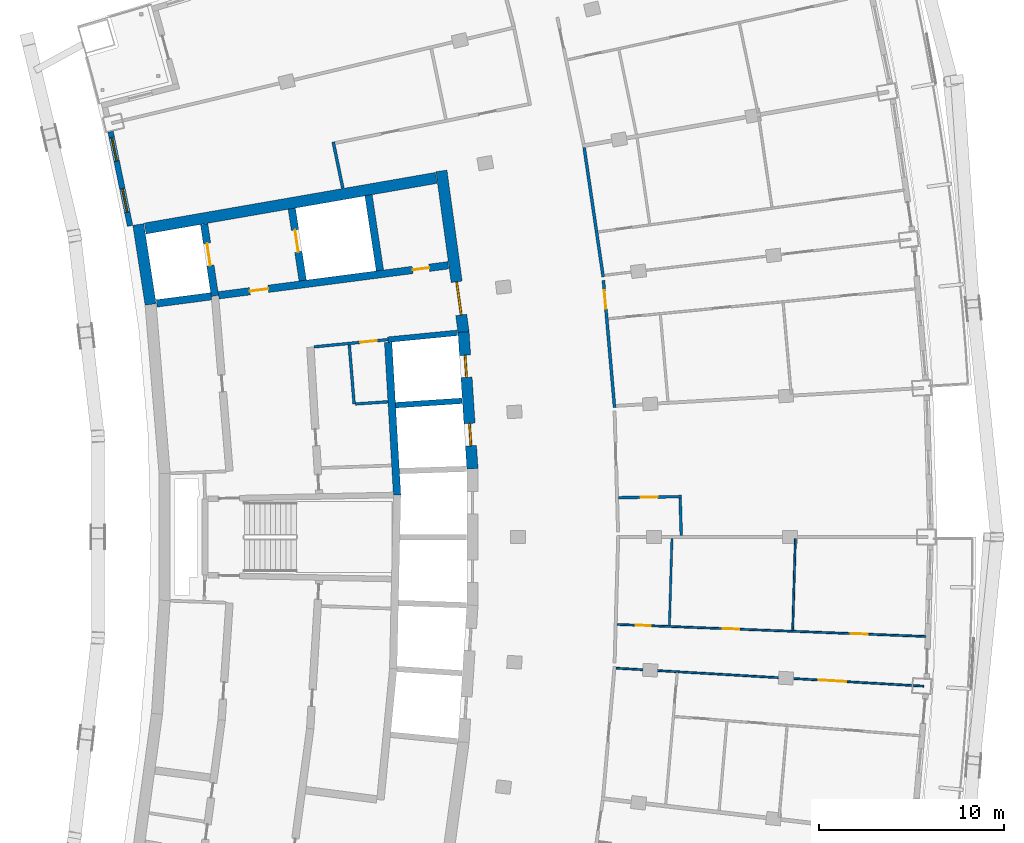
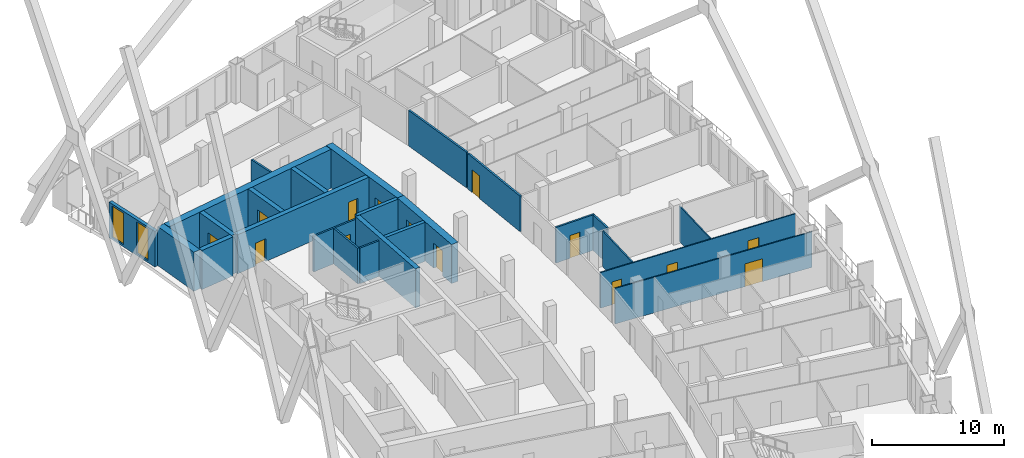
# One storey, part 13 of 20: 25 walls, 14 doors, 2 windows, 16 openings.
"""IFC4 building model written with IfcOpenShell, lengths in metres."""

from ifc_helpers import new_model, si_unit, direction, frame, frame_2d, origin, place, context, subcontext, project, spatial, rectangle, extrude, material, layer, layer_set, type_object, element, fill, save


model = new_model("IFC4")

# Units and contexts
model_context = context("Model", 3, precision=1e-05, world=origin(), true_north=direction((0.0, 1.0)))
body_context = subcontext(model_context, "Body", "Model", "MODEL_VIEW")
ifc_project = project(units=[si_unit("LENGTHUNIT", "METRE"), si_unit("AREAUNIT", "SQUARE_METRE"), si_unit("VOLUMEUNIT", "CUBIC_METRE"), si_unit("PLANEANGLEUNIT", "RADIAN"), si_unit("MASSUNIT", "GRAM", prefix="KILO")], contexts=[model_context])

# Site, building, storey
site_placement = place(None, origin())
site = spatial("IfcSite", under=ifc_project, at=site_placement, CompositionType="ELEMENT")
building_placement = place(site_placement, origin())
building = spatial("IfcBuilding", under=site, at=building_placement, Name="Alderwake Tower", CompositionType="ELEMENT")
storey_placement = place(building_placement, frame((0.0, 0.0, 210.800048828125)))
storey = spatial("IfcBuildingStorey", under=building, at=storey_placement, Name="L52", CompositionType="ELEMENT", Elevation=210.800048828125)

# Walls
ifc_material_1 = material(Name="Gypsum shaft wall system, rated")
ifc_layer_1 = layer(ifc_material_1, 0.14990234375)
ifc_layer_set_1 = layer_set([ifc_layer_1], Name="Core room partition 150")
wall_type_1 = type_object("IfcWallType", Name="Core room partition 150", PredefinedType="PARTITIONING", material=ifc_layer_set_1)
wall_1_placement = place(storey_placement, frame((26.9599609375, 68.170654296875, 0.0), z_axis=(0.0, 0.0, 1.0), x_axis=(-0.081803626558, 0.996648466954, 0.0)))
element("IfcWall", 1, at=wall_1_placement, inside=storey, type_object=wall_type_1, Name="CW/L52/PA+107_+70", PredefinedType="PARTITIONING", context=body_context, shape_type="SweptSolid", body=[
    extrude(rectangle(XDim=3.205322265625, YDim=0.14990234375, at=frame_2d((1.6025390625, 0.0))), origin(), (0.0, 0.0, 1.0), 3.280029296875),
])
wall_2_placement = place(storey_placement, frame((27.034912109375, 68.175537109375, 0.0), z_axis=(0.0, 0.0, 1.0), x_axis=(0.997757929195, 0.066926188655, 0.0)))
element("IfcWall", 2, at=wall_2_placement, inside=storey, type_object=wall_type_1, Name="CW/L52/PR+70_+107", PredefinedType="PARTITIONING", context=body_context, shape_type="SweptSolid", body=[
    extrude(rectangle(XDim=1.7509765625, YDim=0.14990234375, at=frame_2d((0.87548828125, 0.0))), origin(), (0.0, 0.0, 1.0), 3.280029296875),
])

# Wall, opening, door
wall_3_placement = place(storey_placement, frame((28.780517578125, 71.644287109375, 0.0), z_axis=(0.0, 0.0, 1.0), x_axis=(-0.995250000627, -0.097352125046, 0.0)))
wall_3 = element("IfcWall", 3, at=wall_3_placement, inside=storey, type_object=wall_type_1, Name="CW/L52/PR+102_+86", PredefinedType="PARTITIONING", context=body_context, shape_type="SweptSolid", body=[
    extrude(rectangle(XDim=4.0, YDim=0.14990234375, at=frame_2d((2.0, 0.0))), origin(), (0.0, 0.0, 1.0), 3.280029296875),
])
opening_1_placement = place(wall_3_placement, frame((0.60009765625, 0.0, 0.0)))
opening_1 = element("IfcOpeningElement", 4, at=opening_1_placement, cuts=wall_3, Name="Opening C022", PredefinedType="OPENING", context=body_context, shape_type="SweptSolid", body=[
    extrude(rectangle(XDim=0.89990234375, YDim=2.10009765625, at=frame_2d((0.449951171875, 1.050048828125))), frame((0.0, 0.0849609375, 0.0), z_axis=(0.0, -1.0, 0.0), x_axis=(1.0, 0.0, 0.0)), (0.0, 0.0, 1.0), 0.169921875),
])
ifc_material_2 = material(Name="Painted steel leaf", Category="steel")
door_type_1 = type_object("IfcDoorType", Name="Core room door 900", OperationType="SINGLE_SWING_LEFT", PredefinedType="DOOR", material=ifc_material_2)
door_1_placement = place(opening_1_placement, origin())
door_1 = element("IfcDoor", 5, at=door_1_placement, inside=storey, type_object=door_type_1, Name="Room door", OperationType="SINGLE_SWING_LEFT", OverallHeight=2.10009765625, OverallWidth=0.89990234375, PredefinedType="DOOR", context=body_context, shape_type="SweptSolid", body=[
    extrude(rectangle(XDim=0.89990234375, YDim=2.10009765625, at=frame_2d((0.449951171875, 1.050048828125))), frame((0.0, 0.02490234375, 0.0), z_axis=(0.0, -1.0, 0.0), x_axis=(1.0, 0.0, 0.0)), (0.0, 0.0, 1.0), 0.050048828125),
])
fill(opening_1, door_1)

# Wall
ifc_material_3 = material(Name="Concrete C70/85", Category="concrete")
ifc_layer_2 = layer(ifc_material_3, 0.60009765625)
ifc_layer_set_2 = layer_set([ifc_layer_2], Name="Core wall outer 600 C70-85")
wall_type_2 = type_object("IfcWallType", Name="Core wall outer 600 C70-85", PredefinedType="SHEAR", material=ifc_layer_set_2)
wall_4_placement = place(storey_placement, frame((15.984130859375, 73.54296875, 0.0), z_axis=(0.0, 0.0, 1.0), x_axis=(-0.151922578304, 0.988392396876, 0.0)))
element("IfcWall", 6, at=wall_4_placement, inside=storey, type_object=wall_type_2, Name="Core wall CW.034", PredefinedType="SHEAR", context=body_context, shape_type="SweptSolid", body=[
    extrude(rectangle(XDim=4.361328125, YDim=0.60009765625, at=frame_2d((2.1806640625, 0.0))), origin(), (0.0, 0.0, 1.0), 3.599853515625),
])

# Wall, openings, doors
wall_5_placement = place(storey_placement, frame((33.3408203125, 64.67626953125, 0.0), z_axis=(0.0, 0.0, 1.0), x_axis=(-0.065013379938, 0.997884392317, 0.0)))
wall_5 = element("IfcWall", 7, at=wall_5_placement, inside=storey, type_object=wall_type_2, Name="Core wall CW.015", PredefinedType="SHEAR", context=body_context, shape_type="SweptSolid", body=[
    extrude(rectangle(XDim=7.39404296875, YDim=0.60009765625, at=frame_2d((3.697021484375, 0.0))), origin(), (0.0, 0.0, 1.0), 3.599853515625),
])
opening_2_placement = place(wall_5_placement, frame((1.253173828125, 0.0, 0.0)))
opening_2 = element("IfcOpeningElement", 8, at=opening_2_placement, cuts=wall_5, Name="Opening LD-HP5", PredefinedType="OPENING", context=body_context, shape_type="SweptSolid", body=[
    extrude(rectangle(XDim=1.199951171875, YDim=2.300048828125, at=frame_2d((0.60009765625, 1.14990234375))), frame((0.0, 0.31005859375, 0.0), z_axis=(0.0, -1.0, 0.0), x_axis=(1.0, 0.0, 0.0)), (0.0, 0.0, 1.0), 0.6201171875),
])
opening_3_placement = place(wall_5_placement, frame((4.940185546875, 0.0, 0.0)))
opening_3 = element("IfcOpeningElement", 9, at=opening_3_placement, cuts=wall_5, Name="Opening LD-HP6", PredefinedType="OPENING", context=body_context, shape_type="SweptSolid", body=[
    extrude(rectangle(XDim=1.199951171875, YDim=2.300048828125, at=frame_2d((0.60009765625, 1.14990234375))), frame((0.0, 0.31005859375, 0.0), z_axis=(0.0, -1.0, 0.0), x_axis=(1.0, 0.0, 0.0)), (0.0, 0.0, 1.0), 0.6201171875),
])
ifc_material_4 = material(Name="Stainless steel sliding leaf", Category="steel")
door_type_2 = type_object("IfcDoorType", Name="Lift landing door 1200", OperationType="SLIDING_TO_LEFT", PredefinedType="DOOR", material=ifc_material_4)
door_2_placement = place(opening_2_placement, origin())
door_2 = element("IfcDoor", 10, at=door_2_placement, inside=storey, type_object=door_type_2, Name="Lift landing door HP5", OperationType="SLIDING_TO_LEFT", OverallHeight=2.300048828125, OverallWidth=1.199951171875, PredefinedType="DOOR", context=body_context, shape_type="SweptSolid", body=[
    extrude(rectangle(XDim=1.199951171875, YDim=2.300048828125, at=frame_2d((0.60009765625, 1.14990234375))), frame((0.0, 0.050048828125, 0.0), z_axis=(0.0, -1.0, 0.0), x_axis=(1.0, 0.0, 0.0)), (0.0, 0.0, 1.0), 0.10009765625),
])
fill(opening_2, door_2)
door_3_placement = place(opening_3_placement, origin())
door_3 = element("IfcDoor", 11, at=door_3_placement, inside=storey, type_object=door_type_2, Name="Lift landing door HP6", OperationType="SLIDING_TO_LEFT", OverallHeight=2.300048828125, OverallWidth=1.199951171875, PredefinedType="DOOR", context=body_context, shape_type="SweptSolid", body=[
    extrude(rectangle(XDim=1.199951171875, YDim=2.300048828125, at=frame_2d((0.60009765625, 1.14990234375))), frame((0.0, 0.050048828125, 0.0), z_axis=(0.0, -1.0, 0.0), x_axis=(1.0, 0.0, 0.0)), (0.0, 0.0, 1.0), 0.10009765625),
])
fill(opening_3, door_3)

# Wall, opening, door
wall_6_placement = place(storey_placement, frame((31.66796875, 80.743896484375, 0.0), z_axis=(0.0, 0.0, 1.0), x_axis=(0.135856583698, -0.990728514108, 0.0)))
wall_6 = element("IfcWall", 12, at=wall_6_placement, inside=storey, type_object=wall_type_2, Name="Core wall CW.014", PredefinedType="SHEAR", context=body_context, shape_type="SweptSolid", body=[
    extrude(rectangle(XDim=8.79296875, YDim=0.60009765625, at=frame_2d((4.396484375, 0.0))), origin(), (0.0, 0.0, 1.0), 3.599853515625),
])
opening_4_placement = place(wall_6_placement, frame((6.038818359375, 0.0, 0.0)))
opening_4 = element("IfcOpeningElement", 13, at=opening_4_placement, cuts=wall_6, Name="Opening C001", PredefinedType="OPENING", context=body_context, shape_type="SweptSolid", body=[
    extrude(rectangle(XDim=1.800048828125, YDim=2.10009765625, at=frame_2d((0.89990234375, 1.050048828125))), frame((0.0, 0.31005859375, 0.0), z_axis=(0.0, -1.0, 0.0), x_axis=(1.0, 0.0, 0.0)), (0.0, 0.0, 1.0), 0.6201171875),
])
ifc_material_5 = material(Name="Steel-framed fire door leaves", Category="steel")
door_type_3 = type_object("IfcDoorType", Name="Core double door 1800 fire-rated", OperationType="DOUBLE_DOOR_SINGLE_SWING", PredefinedType="DOOR", material=ifc_material_5)
door_4_placement = place(opening_4_placement, origin())
door_4 = element("IfcDoor", 14, at=door_4_placement, inside=storey, type_object=door_type_3, Name="Lobby double door", OperationType="DOUBLE_DOOR_SINGLE_SWING", OverallHeight=2.10009765625, OverallWidth=1.800048828125, PredefinedType="DOOR", context=body_context, shape_type="SweptSolid", body=[
    extrude(rectangle(XDim=1.800048828125, YDim=2.10009765625, at=frame_2d((0.89990234375, 1.050048828125))), frame((0.0, 0.050048828125, 0.0), z_axis=(0.0, -1.0, 0.0), x_axis=(1.0, 0.0, 0.0)), (0.0, 0.0, 1.0), 0.10009765625),
])
fill(opening_4, door_4)

# Walls
wall_7_placement = place(storey_placement, frame((15.68896484375, 77.6357421875, 0.0), z_axis=(0.0, 0.0, 1.0), x_axis=(0.985223223422, 0.17127521721, 0.0)))
element("IfcWall", 15, at=wall_7_placement, inside=storey, type_object=wall_type_2, Name="Core wall CW.055", PredefinedType="SHEAR", context=body_context, shape_type="SweptSolid", body=[
    extrude(rectangle(XDim=15.933349609375, YDim=0.60009765625, at=frame_2d((7.966796875, 0.0))), origin(), (0.0, 0.0, 1.0), 3.599853515625),
])
ifc_material_6 = material(Name="Concrete C70/85", Category="concrete")
ifc_layer_3 = layer(ifc_material_6, 0.300048828125)
ifc_layer_set_3 = layer_set([ifc_layer_3], Name="Core wall shaft 300 C70-85")
wall_type_3 = type_object("IfcWallType", Name="Core wall shaft 300 C70-85", PredefinedType="SHEAR", material=ifc_layer_set_3)
wall_8_placement = place(storey_placement, frame((29.193603515625, 68.110595703125, 0.0), z_axis=(0.0, 0.0, 1.0), x_axis=(0.997887597979, 0.064964157805, 0.0)))
element("IfcWall", 16, at=wall_8_placement, inside=storey, type_object=wall_type_3, Name="Core wall CW.061", PredefinedType="SHEAR", context=body_context, shape_type="SweptSolid", body=[
    extrude(rectangle(XDim=3.585205078125, YDim=0.300048828125, at=frame_2d((1.79248046875, 0.0))), origin(), (0.0, 0.0, 1.0), 3.599853515625),
])
wall_9_placement = place(storey_placement, frame((28.780517578125, 71.644287109375, 0.0), z_axis=(0.0, 0.0, 1.0), x_axis=(0.995245280185, 0.097400370992, 0.0)))
element("IfcWall", 17, at=wall_9_placement, inside=storey, type_object=wall_type_3, Name="Core wall CW.049", PredefinedType="SHEAR", context=body_context, shape_type="SweptSolid", body=[
    extrude(rectangle(XDim=3.769775390625, YDim=0.300048828125, at=frame_2d((1.884765625, 0.0))), origin(), (0.0, 0.0, 1.0), 3.599853515625),
])

# Wall, opening, door
ifc_material_7 = material(Name="Concrete C70/85", Category="concrete")
ifc_layer_4 = layer(ifc_material_7, 0.39990234375)
ifc_layer_set_4 = layer_set([ifc_layer_4], Name="Core wall spine 400 C70-85")
wall_type_4 = type_object("IfcWallType", Name="Core wall spine 400 C70-85", PredefinedType="SHEAR", material=ifc_layer_set_4)
wall_10_placement = place(storey_placement, frame((19.4541015625, 74.00048828125, 0.0), z_axis=(0.0, 0.0, 1.0), x_axis=(-0.148977743105, 0.98884054936, 0.0)))
wall_10 = element("IfcWall", 18, at=wall_10_placement, inside=storey, type_object=wall_type_4, Name="Core wall CW.030", PredefinedType="SHEAR", context=body_context, shape_type="SweptSolid", body=[
    extrude(rectangle(XDim=3.9150390625, YDim=0.39990234375, at=frame_2d((1.95751953125, 0.0))), origin(), (0.0, 0.0, 1.0), 3.599853515625),
])
opening_5_placement = place(wall_10_placement, frame((1.6611328125, 0.0, 0.0)))
opening_5 = element("IfcOpeningElement", 19, at=opening_5_placement, cuts=wall_10, Name="Opening LD-FF1", PredefinedType="OPENING", context=body_context, shape_type="SweptSolid", body=[
    extrude(rectangle(XDim=1.199951171875, YDim=2.300048828125, at=frame_2d((0.60009765625, 1.14990234375))), frame((0.0, 0.2099609375, 0.0), z_axis=(0.0, -1.0, 0.0), x_axis=(1.0, 0.0, 0.0)), (0.0, 0.0, 1.0), 0.419921875),
])
door_5_placement = place(opening_5_placement, origin())
door_5 = element("IfcDoor", 20, at=door_5_placement, inside=storey, type_object=door_type_2, Name="Lift landing door FF1", OperationType="SLIDING_TO_LEFT", OverallHeight=2.300048828125, OverallWidth=1.199951171875, PredefinedType="DOOR", context=body_context, shape_type="SweptSolid", body=[
    extrude(rectangle(XDim=1.199951171875, YDim=2.300048828125, at=frame_2d((0.60009765625, 1.14990234375))), frame((0.0, 0.02490234375, 0.0), z_axis=(0.0, -1.0, 0.0), x_axis=(1.0, 0.0, 0.0)), (0.0, 0.0, 1.0), 0.050048828125),
])
fill(opening_5, door_5)

wall_11_placement = place(storey_placement, frame((24.186279296875, 74.82861328125, 0.0), z_axis=(0.0, 0.0, 1.0), x_axis=(-0.150092938275, 0.988671891924, 0.0)))
wall_11 = element("IfcWall", 21, at=wall_11_placement, inside=storey, type_object=wall_type_4, Name="Core wall CW.044", PredefinedType="SHEAR", context=body_context, shape_type="SweptSolid", body=[
    extrude(rectangle(XDim=3.92333984375, YDim=0.39990234375, at=frame_2d((1.961669921875, 0.0))), origin(), (0.0, 0.0, 1.0), 3.599853515625),
])
opening_6_placement = place(wall_11_placement, frame((1.561767578125, 0.0, 0.0)))
opening_6 = element("IfcOpeningElement", 22, at=opening_6_placement, cuts=wall_11, Name="Opening LD-FF2", PredefinedType="OPENING", context=body_context, shape_type="SweptSolid", body=[
    extrude(rectangle(XDim=1.199951171875, YDim=2.300048828125, at=frame_2d((0.60009765625, 1.14990234375))), frame((0.0, 0.2099609375, 0.0), z_axis=(0.0, -1.0, 0.0), x_axis=(1.0, 0.0, 0.0)), (0.0, 0.0, 1.0), 0.419921875),
])
door_6_placement = place(opening_6_placement, origin())
door_6 = element("IfcDoor", 23, at=door_6_placement, inside=storey, type_object=door_type_2, Name="Lift landing door FF2", OperationType="SLIDING_TO_LEFT", OverallHeight=2.300048828125, OverallWidth=1.199951171875, PredefinedType="DOOR", context=body_context, shape_type="SweptSolid", body=[
    extrude(rectangle(XDim=1.199951171875, YDim=2.300048828125, at=frame_2d((0.60009765625, 1.14990234375))), frame((0.0, 0.02490234375, 0.0), z_axis=(0.0, -1.0, 0.0), x_axis=(1.0, 0.0, 0.0)), (0.0, 0.0, 1.0), 0.050048828125),
])
fill(opening_6, door_6)

# Walls
wall_12_placement = place(storey_placement, frame((29.27685546875, 63.2646484375, 0.0), z_axis=(0.0, 0.0, 1.0), x_axis=(-0.0584546922, 0.998290062537, 0.0)))
element("IfcWall", 24, at=wall_12_placement, inside=storey, type_object=wall_type_4, Name="Core wall CW.002", PredefinedType="SHEAR", context=body_context, shape_type="SweptSolid", body=[
    extrude(rectangle(XDim=8.24462890625, YDim=0.39990234375, at=frame_2d((4.122314453125, 0.0))), origin(), (0.0, 0.0, 1.0), 3.599853515625),
])
wall_13_placement = place(storey_placement, frame((28.350830078125, 75.373291015625, 0.0), z_axis=(0.0, 0.0, 1.0), x_axis=(-0.150143035921, 0.988664285167, 0.0)))
element("IfcWall", 25, at=wall_13_placement, inside=storey, type_object=wall_type_4, Name="Core wall CW.001", PredefinedType="SHEAR", context=body_context, shape_type="SweptSolid", body=[
    extrude(rectangle(XDim=4.1123046875, YDim=0.39990234375, at=frame_2d((2.05615234375, 0.0))), origin(), (0.0, 0.0, 1.0), 3.599853515625),
])
wall_14_placement = place(storey_placement, frame((16.31005859375, 73.5966796875, 0.0), z_axis=(0.0, 0.0, 1.0), x_axis=(0.99155863891, 0.12965903595, 0.0)))
element("IfcWall", 26, at=wall_14_placement, inside=storey, type_object=wall_type_4, Name="Core wall CW.051", PredefinedType="SHEAR", context=body_context, shape_type="SweptSolid", body=[
    extrude(rectangle(XDim=2.969482421875, YDim=0.39990234375, at=frame_2d((1.48486328125, 0.0))), origin(), (0.0, 0.0, 1.0), 3.599853515625),
])

# Wall, openings, doors
wall_15_placement = place(storey_placement, frame((32.032958984375, 75.653076171875, 0.0), z_axis=(0.0, 0.0, 1.0), x_axis=(-0.991554886316, -0.129687730428, 0.0)))
wall_15 = element("IfcWall", 27, at=wall_15_placement, inside=storey, type_object=wall_type_4, Name="Core wall CW.052", PredefinedType="SHEAR", context=body_context, shape_type="SweptSolid", body=[
    extrude(rectangle(XDim=12.48681640625, YDim=0.39990234375, at=frame_2d((6.243408203125, 0.0))), origin(), (0.0, 0.0, 1.0), 3.599853515625),
])
opening_7_placement = place(wall_15_placement, frame((9.787109375, 0.0, 0.0)))
opening_7 = element("IfcOpeningElement", 28, at=opening_7_placement, cuts=wall_15, Name="Opening C002", PredefinedType="OPENING", context=body_context, shape_type="SweptSolid", body=[
    extrude(rectangle(XDim=1.0, YDim=2.10009765625, at=frame_2d((0.5, 1.050048828125))), frame((0.0, 0.2099609375, 0.0), z_axis=(0.0, -1.0, 0.0), x_axis=(1.0, 0.0, 0.0)), (0.0, 0.0, 1.0), 0.419921875),
])
opening_8_placement = place(wall_15_placement, frame((1.037109375, 0.0, 0.0)))
opening_8 = element("IfcOpeningElement", 29, at=opening_8_placement, cuts=wall_15, Name="Opening C020", PredefinedType="OPENING", context=body_context, shape_type="SweptSolid", body=[
    extrude(rectangle(XDim=0.89990234375, YDim=2.10009765625, at=frame_2d((0.449951171875, 1.050048828125))), frame((0.0, 0.2099609375, 0.0), z_axis=(0.0, -1.0, 0.0), x_axis=(1.0, 0.0, 0.0)), (0.0, 0.0, 1.0), 0.419921875),
])
door_7_placement = place(opening_8_placement, origin())
door_7 = element("IfcDoor", 30, at=door_7_placement, inside=storey, type_object=door_type_1, Name="Room door", OperationType="SINGLE_SWING_RIGHT", OverallHeight=2.10009765625, OverallWidth=0.89990234375, PredefinedType="DOOR", context=body_context, shape_type="SweptSolid", body=[
    extrude(rectangle(XDim=0.89990234375, YDim=2.10009765625, at=frame_2d((0.449951171875, 1.050048828125))), frame((0.0, 0.02490234375, 0.0), z_axis=(0.0, -1.0, 0.0), x_axis=(1.0, 0.0, 0.0)), (0.0, 0.0, 1.0), 0.050048828125),
])
fill(opening_8, door_7)
ifc_material_8 = material(Name="Steel-framed fire door leaf", Category="steel")
door_type_4 = type_object("IfcDoorType", Name="Firefighting lobby door 1000 fire-rated", OperationType="SINGLE_SWING_LEFT", PredefinedType="DOOR", material=ifc_material_8)
door_8_placement = place(opening_7_placement, origin())
door_8 = element("IfcDoor", 31, at=door_8_placement, inside=storey, type_object=door_type_4, Name="Firefighting lobby door", OperationType="SINGLE_SWING_RIGHT", OverallHeight=2.10009765625, OverallWidth=1.0, PredefinedType="DOOR", context=body_context, shape_type="SweptSolid", body=[
    extrude(rectangle(XDim=1.0, YDim=2.10009765625, at=frame_2d((0.5, 1.050048828125))), frame((0.0, 0.02490234375, 0.0), z_axis=(0.0, -1.0, 0.0), x_axis=(1.0, 0.0, 0.0)), (0.0, 0.0, 1.0), 0.050048828125),
])
fill(opening_7, door_8)

# Walls
ifc_material_9 = material(Name="Gypsum board on metal studs, rated")
ifc_layer_5 = layer(ifc_material_9, 0.159912109375)
ifc_layer_set_5 = layer_set([ifc_layer_5], Name="Corridor wall 160")
wall_type_5 = type_object("IfcWallType", Name="Corridor wall 160", PredefinedType="PARTITIONING", material=ifc_layer_set_5)
wall_16_placement = place(storey_placement, frame((25.831787109375, 82.305419921875, 0.0), z_axis=(0.0, 0.0, 1.0), x_axis=(0.202450797205, -0.979292435747, 0.0)))
element("IfcWall", 32, at=wall_16_placement, inside=storey, type_object=wall_type_5, Name="WL/L52/W12", PredefinedType="PARTITIONING", context=body_context, shape_type="SweptSolid", body=[
    extrude(rectangle(XDim=2.555419921875, YDim=0.159912109375, at=frame_2d((1.27783203125, 0.0))), origin(), (0.0, 0.0, 1.0), 3.280029296875),
])
wall_17_placement = place(storey_placement, frame((40.388671875, 75.02880859375, 0.0), z_axis=(0.0, 0.0, 1.0), x_axis=(-0.145585733575, 0.98934563939, 0.0)))
element("IfcWall", 33, at=wall_17_placement, inside=storey, type_object=wall_type_5, Name="WL/L52/W22", PredefinedType="PARTITIONING", context=body_context, shape_type="SweptSolid", body=[
    extrude(rectangle(XDim=7.04833984375, YDim=0.159912109375, at=frame_2d((3.524169921875, 0.0))), origin(), (0.0, 0.0, 1.0), 3.280029296875),
])

# Wall, opening, door
wall_18_placement = place(storey_placement, frame((40.400390625, 74.84228515625, 0.0), z_axis=(0.0, 0.0, 1.0), x_axis=(0.087419573149, -0.996171580718, 0.0)))
wall_18 = element("IfcWall", 34, at=wall_18_placement, inside=storey, type_object=wall_type_5, Name="WL/L52/W24", PredefinedType="PARTITIONING", context=body_context, shape_type="SweptSolid", body=[
    extrude(rectangle(XDim=6.88134765625, YDim=0.159912109375, at=frame_2d((3.440673828125, 0.0))), origin(), (0.0, 0.0, 1.0), 3.280029296875),
])
opening_9_placement = place(wall_18_placement, frame((0.544921875, 0.0, 0.0)))
opening_9 = element("IfcOpeningElement", 35, at=opening_9_placement, cuts=wall_18, Name="Opening R15-U06.2", PredefinedType="OPENING", context=body_context, shape_type="SweptSolid", body=[
    extrude(rectangle(XDim=1.0, YDim=2.10009765625, at=frame_2d((0.5, 1.050048828125))), frame((0.0, 0.08984375, 0.0), z_axis=(0.0, -1.0, 0.0), x_axis=(1.0, 0.0, 0.0)), (0.0, 0.0, 1.0), 0.179931640625),
])
ifc_material_10 = material(Name="Solid timber leaf in steel frame", Category="steel")
door_type_5 = type_object("IfcDoorType", Name="Flat entrance door 1000 fire-rated", OperationType="SINGLE_SWING_LEFT", PredefinedType="DOOR", material=ifc_material_10)
door_9_placement = place(opening_9_placement, origin())
door_9 = element("IfcDoor", 36, at=door_9_placement, inside=storey, type_object=door_type_5, Name="DR/L52/U06.2", OperationType="SINGLE_SWING_LEFT", OverallHeight=2.10009765625, OverallWidth=1.0, PredefinedType="DOOR", context=body_context, shape_type="SweptSolid", body=[
    extrude(rectangle(XDim=1.0, YDim=2.10009765625, at=frame_2d((0.5, 1.050048828125))), frame((0.0, 0.02490234375, 0.0), z_axis=(0.0, -1.0, 0.0), x_axis=(1.0, 0.0, 0.0)), (0.0, 0.0, 1.0), 0.050048828125),
])
fill(opening_9, door_9)

# Wall, openings, windows
ifc_material_11 = material(Name="Precast concrete C50/60 spandrel panel", Category="concrete")
ifc_layer_6 = layer(ifc_material_11, 0.300048828125)
ifc_layer_set_6 = layer_set([ifc_layer_6], Name="External wall EW1 Precast concrete C50/60 spandrel")
wall_type_6 = type_object("IfcWallType", Name="External wall EW1 Precast concrete C50/60 spandrel", PredefinedType="SOLIDWALL", material=ifc_layer_set_6)
wall_19_placement = place(storey_placement, frame((13.826904296875, 82.8544921875, 0.0), z_axis=(0.0, 0.0, 1.0), x_axis=(0.202730149235, -0.979234643276, 0.0)))
wall_19 = element("IfcWall", 37, at=wall_19_placement, inside=storey, type_object=wall_type_6, Name="External wall 31", PredefinedType="SOLIDWALL", context=body_context, shape_type="SweptSolid", body=[
    extrude(rectangle(XDim=5.185546875, YDim=0.300048828125, at=frame_2d((2.5927734375, 0.0))), origin(), (0.0, 0.0, 1.0), 3.280029296875),
])
opening_10_placement = place(wall_19_placement, frame((0.316162109375, 0.0, 0.199951171875)))
opening_10 = element("IfcOpeningElement", 38, at=opening_10_placement, cuts=wall_19, Name="Opening W1", PredefinedType="OPENING", context=body_context, shape_type="SweptSolid", body=[
    extrude(rectangle(XDim=1.300048828125, YDim=2.89990234375, at=frame_2d((0.64990234375, 1.449951171875))), frame((0.0, 0.159912109375, 0.0), z_axis=(0.0, -1.0, 0.0), x_axis=(1.0, 0.0, 0.0)), (0.0, 0.0, 1.0), 0.320068359375),
])
opening_11_placement = place(wall_19_placement, frame((3.12890625, 0.0, 0.199951171875)))
opening_11 = element("IfcOpeningElement", 39, at=opening_11_placement, cuts=wall_19, Name="Opening W1", PredefinedType="OPENING", context=body_context, shape_type="SweptSolid", body=[
    extrude(rectangle(XDim=1.300048828125, YDim=2.89990234375, at=frame_2d((0.64990234375, 1.449951171875))), frame((0.0, 0.159912109375, 0.0), z_axis=(0.0, -1.0, 0.0), x_axis=(1.0, 0.0, 0.0)), (0.0, 0.0, 1.0), 0.320068359375),
])
ifc_material_12 = material(Name="Bronze tinted glass in aluminium frame", Category="aluminium")
window_type = type_object("IfcWindowType", Name="Window W1 tall fixed and vent", PartitioningType="DOUBLE_PANEL_VERTICAL", PredefinedType="WINDOW", material=ifc_material_12)
window_1_placement = place(opening_10_placement, origin())
window_1 = element("IfcWindow", 40, at=window_1_placement, inside=storey, type_object=window_type, Name="Window W1 tall fixed and vent", OverallHeight=2.89990234375, OverallWidth=1.300048828125, PartitioningType="DOUBLE_PANEL_VERTICAL", PredefinedType="WINDOW", context=body_context, shape_type="SweptSolid", body=[
    extrude(rectangle(XDim=1.300048828125, YDim=2.89990234375, at=frame_2d((0.64990234375, 1.449951171875))), frame((0.0, 0.030029296875, 0.0), z_axis=(0.0, -1.0, 0.0), x_axis=(1.0, 0.0, 0.0)), (0.0, 0.0, 1.0), 0.06005859375),
])
fill(opening_10, window_1)
window_2_placement = place(opening_11_placement, origin())
window_2 = element("IfcWindow", 41, at=window_2_placement, inside=storey, type_object=window_type, Name="Window W1 tall fixed and vent", OverallHeight=2.89990234375, OverallWidth=1.300048828125, PartitioningType="DOUBLE_PANEL_VERTICAL", PredefinedType="WINDOW", context=body_context, shape_type="SweptSolid", body=[
    extrude(rectangle(XDim=1.300048828125, YDim=2.89990234375, at=frame_2d((0.64990234375, 1.449951171875))), frame((0.0, 0.030029296875, 0.0), z_axis=(0.0, -1.0, 0.0), x_axis=(1.0, 0.0, 0.0)), (0.0, 0.0, 1.0), 0.06005859375),
])
fill(opening_11, window_2)

# Wall, opening, door
ifc_material_13 = material(Name="Gypsum shaft wall system, rated")
ifc_layer_7 = layer(ifc_material_13, 0.14990234375)
ifc_layer_set_7 = layer_set([ifc_layer_7], Name="Riser and shaft wall 150")
wall_type_7 = type_object("IfcWallType", Name="Riser and shaft wall 150", PredefinedType="PARTITIONING", material=ifc_layer_set_7)
wall_20_placement = place(storey_placement, frame((44.610107421875, 63.181396484375, 0.0), z_axis=(0.0, 0.0, 1.0), x_axis=(-0.999843204507, -0.017707806214, 0.0)))
wall_20 = element("IfcWall", 42, at=wall_20_placement, inside=storey, type_object=wall_type_7, Name="WL/L52/W06", PredefinedType="PARTITIONING", context=body_context, shape_type="SweptSolid", body=[
    extrude(rectangle(XDim=3.3916015625, YDim=0.14990234375, at=frame_2d((1.69580078125, 0.0))), origin(), (0.0, 0.0, 1.0), 3.280029296875),
])
opening_12_placement = place(wall_20_placement, frame((1.28271484375, 0.0, 0.0)))
opening_12 = element("IfcOpeningElement", 43, at=opening_12_placement, cuts=wall_20, Name="Opening R15-AM1.2", PredefinedType="OPENING", context=body_context, shape_type="SweptSolid", body=[
    extrude(rectangle(XDim=0.89990234375, YDim=2.10009765625, at=frame_2d((0.449951171875, 1.050048828125))), frame((0.0, 0.0849609375, 0.0), z_axis=(0.0, -1.0, 0.0), x_axis=(1.0, 0.0, 0.0)), (0.0, 0.0, 1.0), 0.169921875),
])
ifc_material_14 = material(Name="Painted timber leaf", Category="wood")
door_type_6 = type_object("IfcDoorType", Name="Room door 900", OperationType="SINGLE_SWING_LEFT", PredefinedType="DOOR", material=ifc_material_14)
door_10_placement = place(opening_12_placement, origin())
door_10 = element("IfcDoor", 44, at=door_10_placement, inside=storey, type_object=door_type_6, Name="DR/L52/AM1.2", OperationType="SINGLE_SWING_LEFT", OverallHeight=2.10009765625, OverallWidth=0.89990234375, PredefinedType="DOOR", context=body_context, shape_type="SweptSolid", body=[
    extrude(rectangle(XDim=0.89990234375, YDim=2.10009765625, at=frame_2d((0.449951171875, 1.050048828125))), frame((0.0, 0.02490234375, 0.0), z_axis=(0.0, -1.0, 0.0), x_axis=(1.0, 0.0, 0.0)), (0.0, 0.0, 1.0), 0.050048828125),
])
fill(opening_12, door_10)

# Wall
wall_21_placement = place(storey_placement, frame((44.5986328125, 61.0791015625, 0.0), z_axis=(0.0, 0.0, 1.0), x_axis=(-0.030234424158, 0.999542835298, 0.0)))
element("IfcWall", 45, at=wall_21_placement, inside=storey, type_object=wall_type_7, Name="WL/L52/W07", PredefinedType="PARTITIONING", context=body_context, shape_type="SweptSolid", body=[
    extrude(rectangle(XDim=2.02685546875, YDim=0.14990234375, at=frame_2d((1.013427734375, 0.0))), origin(), (0.0, 0.0, 1.0), 3.280029296875),
])

# Wall, opening, door
ifc_material_15 = material(Name="Gypsum board on metal studs")
ifc_layer_8 = layer(ifc_material_15, 0.10009765625)
ifc_layer_set_8 = layer_set([ifc_layer_8], Name="Unit partition 100")
wall_type_8 = type_object("IfcWallType", Name="Unit partition 100", PredefinedType="PARTITIONING", material=ifc_layer_set_8)
wall_22_placement = place(storey_placement, frame((41.074951171875, 53.92919921875, 0.0), z_axis=(0.0, 0.0, 1.0), x_axis=(0.998294525583, -0.058378422306, 0.0)))
wall_22 = element("IfcWall", 46, at=wall_22_placement, inside=storey, type_object=wall_type_8, Name="WL/L52/W45", PredefinedType="PARTITIONING", context=body_context, shape_type="SweptSolid", body=[
    extrude(rectangle(XDim=16.619384765625, YDim=0.10009765625, at=frame_2d((8.3095703125, 0.0))), origin(), (0.0, 0.0, 1.0), 3.280029296875),
])
opening_13_placement = place(wall_22_placement, frame((10.95263671875, 0.0, 0.0)))
opening_13 = element("IfcOpeningElement", 47, at=opening_13_placement, cuts=wall_22, Name="Opening R15-U05.9", PredefinedType="OPENING", context=body_context, shape_type="SweptSolid", body=[
    extrude(rectangle(XDim=1.5, YDim=2.10009765625, at=frame_2d((0.75, 1.050048828125))), frame((0.0, 0.06005859375, 0.0), z_axis=(0.0, -1.0, 0.0), x_axis=(1.0, 0.0, 0.0)), (0.0, 0.0, 1.0), 0.1201171875),
])
ifc_material_16 = material(Name="Painted timber leaves", Category="wood")
door_type_7 = type_object("IfcDoorType", Name="Double leaf door 1500", OperationType="DOUBLE_DOOR_SINGLE_SWING", PredefinedType="DOOR", material=ifc_material_16)
door_11_placement = place(opening_13_placement, origin())
door_11 = element("IfcDoor", 48, at=door_11_placement, inside=storey, type_object=door_type_7, Name="DR/L52/U05.9", OperationType="DOUBLE_DOOR_SINGLE_SWING", OverallHeight=2.10009765625, OverallWidth=1.5, PredefinedType="DOOR", context=body_context, shape_type="SweptSolid", body=[
    extrude(rectangle(XDim=1.5, YDim=2.10009765625, at=frame_2d((0.75, 1.050048828125))), frame((0.0, 0.02490234375, 0.0), z_axis=(0.0, -1.0, 0.0), x_axis=(1.0, 0.0, 0.0)), (0.0, 0.0, 1.0), 0.050048828125),
])
fill(opening_13, door_11)

# Wall, openings, doors
wall_23_placement = place(storey_placement, frame((41.143798828125, 56.285888671875, 0.0), z_axis=(0.0, 0.0, 1.0), x_axis=(0.999243472583, -0.038890647978, 0.0)))
wall_23 = element("IfcWall", 49, at=wall_23_placement, inside=storey, type_object=wall_type_8, Name="WL/L52/W46", PredefinedType="PARTITIONING", context=body_context, shape_type="SweptSolid", body=[
    extrude(rectangle(XDim=16.660888671875, YDim=0.10009765625, at=frame_2d((8.33056640625, 0.0))), origin(), (0.0, 0.0, 1.0), 3.280029296875),
])
opening_14_placement = place(wall_23_placement, frame((5.693359375, 0.0, 0.0)))
opening_14 = element("IfcOpeningElement", 50, at=opening_14_placement, cuts=wall_23, Name="Opening R15-U05.6", PredefinedType="OPENING", context=body_context, shape_type="SweptSolid", body=[
    extrude(rectangle(XDim=0.89990234375, YDim=2.10009765625, at=frame_2d((0.449951171875, 1.050048828125))), frame((0.0, 0.06005859375, 0.0), z_axis=(0.0, -1.0, 0.0), x_axis=(1.0, 0.0, 0.0)), (0.0, 0.0, 1.0), 0.1201171875),
])
opening_15_placement = place(wall_23_placement, frame((1.0087890625, 0.0, 0.0)))
opening_15 = element("IfcOpeningElement", 51, at=opening_15_placement, cuts=wall_23, Name="Opening R15-U05.7", PredefinedType="OPENING", context=body_context, shape_type="SweptSolid", body=[
    extrude(rectangle(XDim=0.800048828125, YDim=2.10009765625, at=frame_2d((0.39990234375, 1.050048828125))), frame((0.0, 0.06005859375, 0.0), z_axis=(0.0, -1.0, 0.0), x_axis=(1.0, 0.0, 0.0)), (0.0, 0.0, 1.0), 0.1201171875),
])
opening_16_placement = place(wall_23_placement, frame((12.614990234375, 0.0, 0.0)))
opening_16 = element("IfcOpeningElement", 52, at=opening_16_placement, cuts=wall_23, Name="Opening R15-U05.8", PredefinedType="OPENING", context=body_context, shape_type="SweptSolid", body=[
    extrude(rectangle(XDim=0.89990234375, YDim=2.10009765625, at=frame_2d((0.449951171875, 1.050048828125))), frame((0.0, 0.06005859375, 0.0), z_axis=(0.0, -1.0, 0.0), x_axis=(1.0, 0.0, 0.0)), (0.0, 0.0, 1.0), 0.1201171875),
])
ifc_material_17 = material(Name="Painted timber leaf", Category="wood")
door_type_8 = type_object("IfcDoorType", Name="Bathroom door 800", OperationType="SINGLE_SWING_LEFT", PredefinedType="DOOR", material=ifc_material_17)
door_12_placement = place(opening_15_placement, origin())
door_12 = element("IfcDoor", 53, at=door_12_placement, inside=storey, type_object=door_type_8, Name="DR/L52/U05.7", OperationType="SINGLE_SWING_LEFT", OverallHeight=2.10009765625, OverallWidth=0.800048828125, PredefinedType="DOOR", context=body_context, shape_type="SweptSolid", body=[
    extrude(rectangle(XDim=0.800048828125, YDim=2.10009765625, at=frame_2d((0.39990234375, 1.050048828125))), frame((0.0, 0.02490234375, 0.0), z_axis=(0.0, -1.0, 0.0), x_axis=(1.0, 0.0, 0.0)), (0.0, 0.0, 1.0), 0.050048828125),
])
fill(opening_15, door_12)
door_13_placement = place(opening_14_placement, origin())
door_13 = element("IfcDoor", 54, at=door_13_placement, inside=storey, type_object=door_type_6, Name="DR/L52/U05.6", OperationType="SINGLE_SWING_LEFT", OverallHeight=2.10009765625, OverallWidth=0.89990234375, PredefinedType="DOOR", context=body_context, shape_type="SweptSolid", body=[
    extrude(rectangle(XDim=0.89990234375, YDim=2.10009765625, at=frame_2d((0.449951171875, 1.050048828125))), frame((0.0, 0.02490234375, 0.0), z_axis=(0.0, -1.0, 0.0), x_axis=(1.0, 0.0, 0.0)), (0.0, 0.0, 1.0), 0.050048828125),
])
fill(opening_14, door_13)
door_14_placement = place(opening_16_placement, origin())
door_14 = element("IfcDoor", 55, at=door_14_placement, inside=storey, type_object=door_type_6, Name="DR/L52/U05.8", OperationType="SINGLE_SWING_LEFT", OverallHeight=2.10009765625, OverallWidth=0.89990234375, PredefinedType="DOOR", context=body_context, shape_type="SweptSolid", body=[
    extrude(rectangle(XDim=0.89990234375, YDim=2.10009765625, at=frame_2d((0.449951171875, 1.050048828125))), frame((0.0, 0.02490234375, 0.0), z_axis=(0.0, -1.0, 0.0), x_axis=(1.0, 0.0, 0.0)), (0.0, 0.0, 1.0), 0.050048828125),
])
fill(opening_16, door_14)

# Walls
wall_24_placement = place(storey_placement, frame((50.6083984375, 55.967041015625, 0.0), z_axis=(0.0, 0.0, 1.0), x_axis=(0.028928380061, 0.999581486837, 0.0)))
element("IfcWall", 56, at=wall_24_placement, inside=storey, type_object=wall_type_8, Name="WL/L52/W54", PredefinedType="PARTITIONING", context=body_context, shape_type="SweptSolid", body=[
    extrude(rectangle(XDim=4.953857421875, YDim=0.10009765625, at=frame_2d((2.47705078125, 0.0))), origin(), (0.0, 0.0, 1.0), 3.280029296875),
])
ifc_material_18 = material(Name="Moisture resistant gypsum board on metal studs")
ifc_layer_9 = layer(ifc_material_18, 0.1201171875)
ifc_layer_set_9 = layer_set([ifc_layer_9], Name="Wet room partition 120")
wall_type_9 = type_object("IfcWallType", Name="Wet room partition 120", PredefinedType="PARTITIONING", material=ifc_layer_set_9)
wall_25_placement = place(storey_placement, frame((43.96044921875, 56.22802734375, 0.0), z_axis=(0.0, 0.0, 1.0), x_axis=(0.029237001624, 0.999572507493, 0.0)))
element("IfcWall", 57, at=wall_25_placement, inside=storey, type_object=wall_type_9, Name="WL/L52/W38", PredefinedType="PARTITIONING", context=body_context, shape_type="SweptSolid", body=[
    extrude(rectangle(XDim=4.69287109375, YDim=0.1201171875, at=frame_2d((2.346435546875, 0.0))), origin(), (0.0, 0.0, 1.0), 3.280029296875),
])

save(model, "model.ifc")
